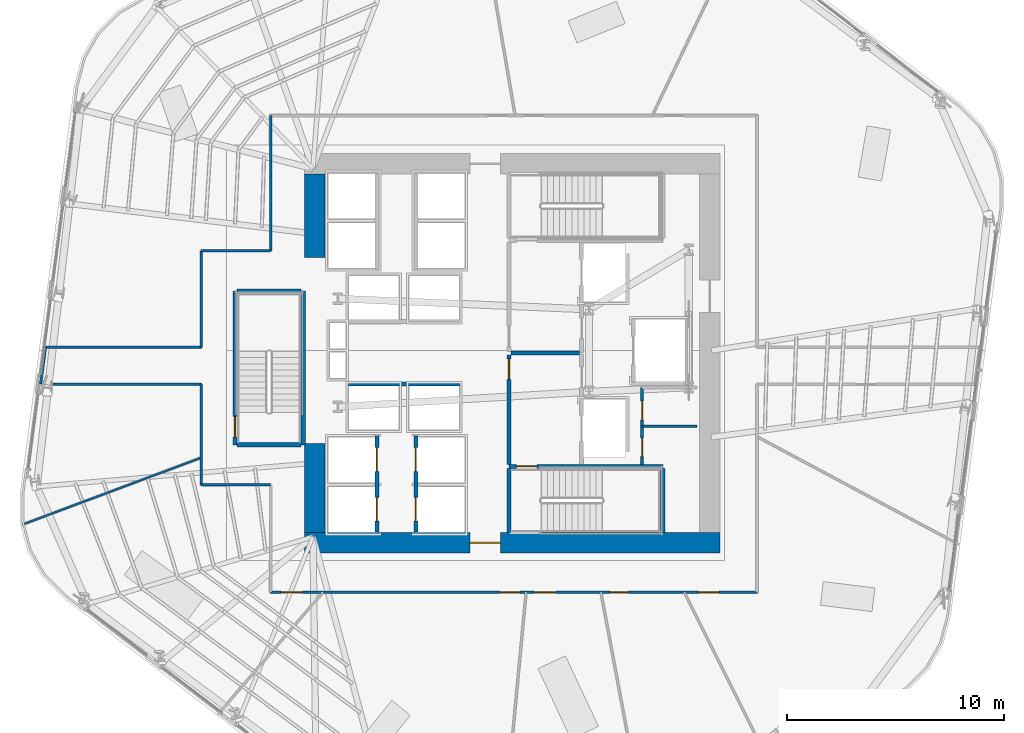
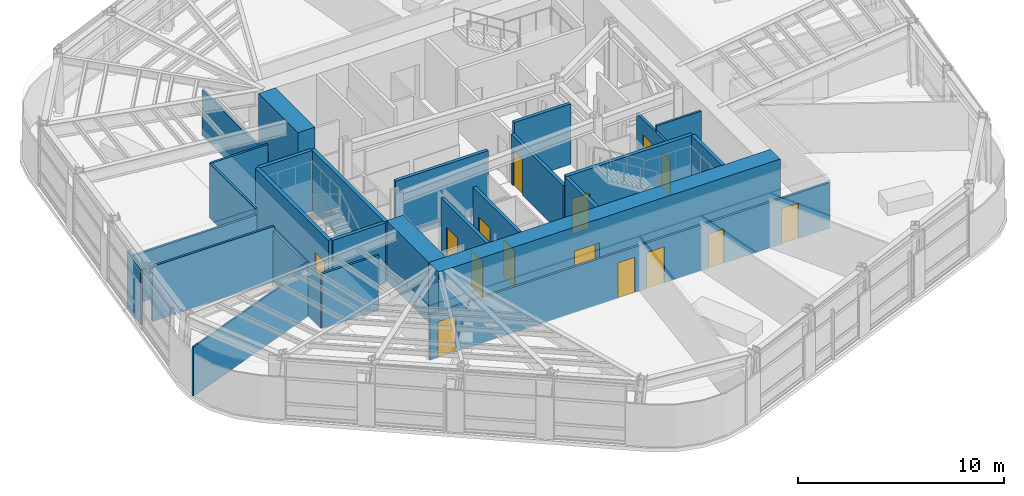
# One storey, part 9 of 18: 27 walls, 15 doors, 15 openings.
"""IFC4 building model written with IfcOpenShell, lengths in metres."""

from ifc_helpers import new_model, si_unit, direction, frame, frame_2d, origin, place, context, subcontext, project, spatial, rectangle, extrude, material, layer, layer_set, type_object, element, fill, save


model = new_model("IFC4")

# Units and contexts
model_context = context("Model", 3, precision=1e-05, world=origin(), true_north=direction((0.0, 1.0)))
body_context = subcontext(model_context, "Body", "Model", "MODEL_VIEW")
ifc_project = project(units=[si_unit("LENGTHUNIT", "METRE"), si_unit("AREAUNIT", "SQUARE_METRE"), si_unit("VOLUMEUNIT", "CUBIC_METRE"), si_unit("PLANEANGLEUNIT", "RADIAN"), si_unit("MASSUNIT", "GRAM", prefix="KILO")], contexts=[model_context])

# Site, building, storey
site_placement = place(None, origin())
site = spatial("IfcSite", under=ifc_project, at=site_placement, CompositionType="ELEMENT")
building_placement = place(site_placement, origin())
building = spatial("IfcBuilding", under=site, at=building_placement, Name="Valkerne Bourse Tower", CompositionType="ELEMENT")
storey_placement = place(building_placement, frame((0.0, 0.0, 120.0)))
storey = spatial("IfcBuildingStorey", under=building, at=storey_placement, Name="L30", CompositionType="ELEMENT", Elevation=120.0)

# Wall, opening, door
ifc_material_1 = material(Name="Concrete C70/85", Category="concrete")
ifc_layer_1 = layer(ifc_material_1, 0.949951171875)
ifc_layer_set_1 = layer_set([ifc_layer_1], Name="Concrete C70/85")
wall_type_1 = type_object("IfcWallType", Name="W-CORE-950", PredefinedType="SHEAR", material=ifc_layer_set_1)
wall_1_placement = place(storey_placement, frame((37.199951171875, 18.125, 0.0), z_axis=(0.0, 0.0, 1.0), x_axis=(1.0, 0.0, 0.0)))
wall_1 = element("IfcWall", 1, at=wall_1_placement, inside=storey, type_object=wall_type_1, Name="L30 Core Shear Wall SOUTH", PredefinedType="SHEAR", context=body_context, shape_type="SweptSolid", body=[
    extrude(rectangle(XDim=19.199951171875, YDim=0.949951171875, at=frame_2d((9.60009765625, 0.0))), origin(), (0.0, 0.0, 1.0), 3.580078125),
])
opening_1_placement = place(wall_1_placement, frame((7.64990234375, 0.0, 0.0)))
opening_1 = element("IfcOpeningElement", 2, at=opening_1_placement, cuts=wall_1, Name="Opening D-PL-1400", PredefinedType="OPENING", context=body_context, shape_type="SweptSolid", body=[
    extrude(rectangle(XDim=1.39990234375, YDim=2.14990234375, at=frame_2d((0.699951171875, 1.074951171875))), frame((0.0, 0.48486328125, 0.0), z_axis=(0.0, -1.0, 0.0), x_axis=(1.0, 0.0, 0.0)), (0.0, 0.0, 1.0), 0.969970703125),
])
ifc_material_2 = material(Name="Galvanised Painted Steel", Category="steel")
door_type_1 = type_object("IfcDoorType", Name="DR-PLT-1400", OperationType="DOUBLE_DOOR_SINGLE_SWING", PredefinedType="DOOR", material=ifc_material_2)
door_1_placement = place(opening_1_placement, origin())
door_1 = element("IfcDoor", 3, at=door_1_placement, inside=storey, type_object=door_type_1, Name="L30 South Passenger Lift Hall Fire Door", OperationType="DOUBLE_DOOR_SINGLE_SWING", OverallHeight=2.14990234375, OverallWidth=1.39990234375, PredefinedType="DOOR", context=body_context, shape_type="SweptSolid", body=[
    extrude(rectangle(XDim=1.39990234375, YDim=2.14990234375, at=frame_2d((0.699951171875, 1.074951171875))), frame((0.0, 0.02490234375, 0.0), z_axis=(0.0, -1.0, 0.0), x_axis=(1.0, 0.0, 0.0)), (0.0, 0.0, 1.0), 0.050048828125),
])
fill(opening_1, door_1)

# Walls
wall_2_placement = place(storey_placement, frame((37.675048828125, 18.60009765625, 0.0), z_axis=(0.0, 0.0, 1.0), x_axis=(0.0, 1.0, 0.0)))
element("IfcWall", 4, at=wall_2_placement, inside=storey, type_object=wall_type_1, Name="L30 Core Shear Wall WEST-S", PredefinedType="SHEAR", context=body_context, shape_type="SweptSolid", body=[
    extrude(rectangle(XDim=4.099853515625, YDim=0.949951171875, at=frame_2d((2.0498046875, 0.0))), origin(), (0.0, 0.0, 1.0), 3.580078125),
])
wall_3_placement = place(storey_placement, frame((37.675048828125, 31.300048828125, 0.0), z_axis=(0.0, 0.0, 1.0), x_axis=(0.0, 1.0, 0.0)))
element("IfcWall", 5, at=wall_3_placement, inside=storey, type_object=wall_type_1, Name="L30 Core Shear Wall WEST-N", PredefinedType="SHEAR", context=body_context, shape_type="SweptSolid", body=[
    extrude(rectangle(XDim=3.849853515625, YDim=0.949951171875, at=frame_2d((1.9248046875, 0.0))), origin(), (0.0, 0.0, 1.0), 3.580078125),
])
ifc_material_3 = material(Name="Gypsum Board Steel-Stud Partition", Category="steel")
ifc_layer_2 = layer(ifc_material_3, 0.117919921875)
ifc_layer_set_2 = layer_set([ifc_layer_2], Name="Gypsum Board Steel-Stud Partition")
wall_type_2 = type_object("IfcWallType", Name="W-CORR-140", PredefinedType="PARTITIONING", material=ifc_layer_set_2)
wall_4_placement = place(storey_placement, frame((52.800048828125, 23.510009765625, 0.0), z_axis=(0.0, 0.0, 1.0), x_axis=(1.0, 0.0, 0.0)))
element("IfcWall", 6, at=wall_4_placement, inside=storey, type_object=wall_type_2, Name="L30 Core SE Dual Divider", PredefinedType="PARTITIONING", context=body_context, shape_type="SweptSolid", body=[
    extrude(rectangle(XDim=2.52001953125, YDim=0.117919921875, at=frame_2d((1.260009765625, 0.0))), origin(), (0.0, 0.0, 1.0), 3.280029296875),
])

# Wall, openings, doors
wall_5_placement = place(storey_placement, frame((58.10009765625, 15.85009765625, 0.0), z_axis=(0.0, 0.0, 1.0), x_axis=(-1.0, 0.0, 0.0)))
wall_5 = element("IfcWall", 7, at=wall_5_placement, inside=storey, type_object=wall_type_2, Name="L30 Corridor Enclosure Wall", PredefinedType="PARTITIONING", context=body_context, shape_type="SweptSolid", body=[
    extrude(rectangle(XDim=22.4501953125, YDim=0.117919921875, at=frame_2d((11.22509765625, 0.0))), origin(), (0.0, 0.0, 1.0), 2.711669921875),
])
opening_2_placement = place(wall_5_placement, frame((5.93505859375, 0.0, 0.0)))
opening_2 = element("IfcOpeningElement", 8, at=opening_2_placement, cuts=wall_5, Name="Opening D-WC-900", PredefinedType="OPENING", context=body_context, shape_type="SweptSolid", body=[
    extrude(rectangle(XDim=0.860107421875, YDim=2.050048828125, at=frame_2d((0.43017578125, 1.02490234375))), frame((0.0, 0.06884765625, 0.0), z_axis=(0.0, -1.0, 0.0), x_axis=(1.0, 0.0, 0.0)), (0.0, 0.0, 1.0), 0.137939453125),
])
opening_3_placement = place(wall_5_placement, frame((9.284912109375, 0.0, 0.0)))
opening_3 = element("IfcOpeningElement", 9, at=opening_3_placement, cuts=wall_5, Name="Opening D-MG-1000", PredefinedType="OPENING", context=body_context, shape_type="SweptSolid", body=[
    extrude(rectangle(XDim=1.0, YDim=2.14990234375, at=frame_2d((0.5, 1.074951171875))), frame((0.0, 0.06884765625, 0.0), z_axis=(0.0, -1.0, 0.0), x_axis=(1.0, 0.0, 0.0)), (0.0, 0.0, 1.0), 0.137939453125),
])
opening_4_placement = place(wall_5_placement, frame((20.985107421875, 0.0, 0.0)))
opening_4 = element("IfcOpeningElement", 10, at=opening_4_placement, cuts=wall_5, Name="Opening D-MG-1000", PredefinedType="OPENING", context=body_context, shape_type="SweptSolid", body=[
    extrude(rectangle(XDim=1.0, YDim=2.14990234375, at=frame_2d((0.5, 1.074951171875))), frame((0.0, 0.06884765625, 0.0), z_axis=(0.0, -1.0, 0.0), x_axis=(1.0, 0.0, 0.0)), (0.0, 0.0, 1.0), 0.137939453125),
])
opening_5_placement = place(wall_5_placement, frame((1.75, 0.0, 0.0)))
opening_5 = element("IfcOpeningElement", 11, at=opening_5_placement, cuts=wall_5, Name="Opening D-OF-950", PredefinedType="OPENING", context=body_context, shape_type="SweptSolid", body=[
    extrude(rectangle(XDim=0.949951171875, YDim=2.10009765625, at=frame_2d((0.47509765625, 1.050048828125))), frame((0.0, 0.06884765625, 0.0), z_axis=(0.0, -1.0, 0.0), x_axis=(1.0, 0.0, 0.0)), (0.0, 0.0, 1.0), 0.137939453125),
])
opening_6_placement = place(wall_5_placement, frame((10.929931640625, 0.0, 0.0)))
opening_6 = element("IfcOpeningElement", 12, at=opening_6_placement, cuts=wall_5, Name="Opening D-OF-950", PredefinedType="OPENING", context=body_context, shape_type="SweptSolid", body=[
    extrude(rectangle(XDim=0.949951171875, YDim=2.10009765625, at=frame_2d((0.47509765625, 1.050048828125))), frame((0.0, 0.06884765625, 0.0), z_axis=(0.0, -1.0, 0.0), x_axis=(1.0, 0.0, 0.0)), (0.0, 0.0, 1.0), 0.137939453125),
])
ifc_material_4 = material(Name="Laminated Tempered Safety Glass", Category="glass")
door_type_2 = type_object("IfcDoorType", Name="DR-MTG-1000", OperationType="NOTDEFINED", PredefinedType="DOOR", material=ifc_material_4)
door_2_placement = place(opening_3_placement, origin())
door_2 = element("IfcDoor", 13, at=door_2_placement, inside=storey, type_object=door_type_2, Name="L30 L30 Client Strategy Conference Room 3 Door", OperationType="SINGLE_SWING_RIGHT", OverallHeight=2.14990234375, OverallWidth=1.0, PredefinedType="DOOR", context=body_context, shape_type="SweptSolid", body=[
    extrude(rectangle(XDim=1.0, YDim=2.14990234375, at=frame_2d((0.5, 1.074951171875))), frame((0.0, 0.02490234375, 0.0), z_axis=(0.0, -1.0, 0.0), x_axis=(1.0, 0.0, 0.0)), (0.0, 0.0, 1.0), 0.050048828125),
])
fill(opening_3, door_2)
door_3_placement = place(opening_4_placement, origin())
door_3 = element("IfcDoor", 14, at=door_3_placement, inside=storey, type_object=door_type_2, Name="L30 L30 Client Strategy Conference Room 4 Door", OperationType="SINGLE_SWING_RIGHT", OverallHeight=2.14990234375, OverallWidth=1.0, PredefinedType="DOOR", context=body_context, shape_type="SweptSolid", body=[
    extrude(rectangle(XDim=1.0, YDim=2.14990234375, at=frame_2d((0.5, 1.074951171875))), frame((0.0, 0.02490234375, 0.0), z_axis=(0.0, -1.0, 0.0), x_axis=(1.0, 0.0, 0.0)), (0.0, 0.0, 1.0), 0.050048828125),
])
fill(opening_4, door_3)
ifc_material_5 = material(Name="Architectural White Oak Timber", Category="wood")
door_type_3 = type_object("IfcDoorType", Name="DR-OFF-950", OperationType="NOTDEFINED", PredefinedType="DOOR", material=ifc_material_5)
door_4_placement = place(opening_5_placement, origin())
door_4 = element("IfcDoor", 15, at=door_4_placement, inside=storey, type_object=door_type_3, Name="L30 L30 Executive Economics Study Room 5 Door", OperationType="SINGLE_SWING_RIGHT", OverallHeight=2.10009765625, OverallWidth=0.949951171875, PredefinedType="DOOR", context=body_context, shape_type="SweptSolid", body=[
    extrude(rectangle(XDim=0.949951171875, YDim=2.10009765625, at=frame_2d((0.47509765625, 1.050048828125))), frame((0.0, 0.02490234375, 0.0), z_axis=(0.0, -1.0, 0.0), x_axis=(1.0, 0.0, 0.0)), (0.0, 0.0, 1.0), 0.050048828125),
])
fill(opening_5, door_4)
door_5_placement = place(opening_6_placement, origin())
door_5 = element("IfcDoor", 16, at=door_5_placement, inside=storey, type_object=door_type_3, Name="L30 L30 Exchange Security Control Room 7 Door", OperationType="SINGLE_SWING_RIGHT", OverallHeight=2.10009765625, OverallWidth=0.949951171875, PredefinedType="DOOR", context=body_context, shape_type="SweptSolid", body=[
    extrude(rectangle(XDim=0.949951171875, YDim=2.10009765625, at=frame_2d((0.47509765625, 1.050048828125))), frame((0.0, 0.02490234375, 0.0), z_axis=(0.0, -1.0, 0.0), x_axis=(1.0, 0.0, 0.0)), (0.0, 0.0, 1.0), 0.050048828125),
])
fill(opening_6, door_5)
door_type_4 = type_object("IfcDoorType", Name="DR-WC-900", OperationType="NOTDEFINED", PredefinedType="DOOR", material=ifc_material_5)
door_6_placement = place(opening_2_placement, origin())
door_6 = element("IfcDoor", 17, at=door_6_placement, inside=storey, type_object=door_type_4, Name="L30 L30 Men Bathroom WC 1 Door", OperationType="SINGLE_SWING_RIGHT", OverallHeight=2.050048828125, OverallWidth=0.860107421875, PredefinedType="DOOR", context=body_context, shape_type="SweptSolid", body=[
    extrude(rectangle(XDim=0.860107421875, YDim=2.050048828125, at=frame_2d((0.43017578125, 1.02490234375))), frame((0.0, 0.02490234375, 0.0), z_axis=(0.0, -1.0, 0.0), x_axis=(1.0, 0.0, 0.0)), (0.0, 0.0, 1.0), 0.050048828125),
])
fill(opening_2, door_6)

# Walls
wall_6_placement = place(storey_placement, frame((35.64990234375, 20.800048828125, 0.0), z_axis=(0.0, 0.0, 1.0), x_axis=(-1.0, 0.0, 0.0)))
element("IfcWall", 18, at=wall_6_placement, inside=storey, type_object=wall_type_2, Name="L30 Corridor Enclosure Wall", PredefinedType="PARTITIONING", context=body_context, shape_type="SweptSolid", body=[
    extrude(rectangle(XDim=3.199951171875, YDim=0.117919921875, at=frame_2d((1.60009765625, 0.0))), origin(), (0.0, 0.0, 1.0), 3.260009765625),
])
wall_7_placement = place(storey_placement, frame((32.449951171875, 20.800048828125, 0.0), z_axis=(0.0, 0.0, 1.0), x_axis=(0.0, 1.0, 0.0)))
element("IfcWall", 19, at=wall_7_placement, inside=storey, type_object=wall_type_2, Name="L30 Corridor Enclosure Wall", PredefinedType="PARTITIONING", context=body_context, shape_type="SweptSolid", body=[
    extrude(rectangle(XDim=4.64990234375, YDim=0.117919921875, at=frame_2d((2.324951171875, 0.0))), origin(), (0.0, 0.0, 1.0), 3.021484375),
])
wall_8_placement = place(storey_placement, frame((32.449951171875, 25.449951171875, 0.0), z_axis=(0.0, 0.0, 1.0), x_axis=(-1.0, 0.0, 0.0)))
element("IfcWall", 20, at=wall_8_placement, inside=storey, type_object=wall_type_2, Name="L30 Corridor Enclosure Wall", PredefinedType="PARTITIONING", context=body_context, shape_type="SweptSolid", body=[
    extrude(rectangle(XDim=6.844482421875, YDim=0.117919921875, at=frame_2d((3.42236328125, 0.0))), origin(), (0.0, 0.0, 1.0), 3.280029296875),
])
wall_9_placement = place(storey_placement, frame((25.026123046875, 25.449951171875, 0.0), z_axis=(0.0, 0.0, 1.0), x_axis=(0.131548216371, 0.991309773365, 0.0)))
element("IfcWall", 21, at=wall_9_placement, inside=storey, type_object=wall_type_2, Name="L30 Corridor Enclosure Wall", PredefinedType="PARTITIONING", context=body_context, shape_type="SweptSolid", body=[
    extrude(rectangle(XDim=1.71484375, YDim=0.117919921875, at=frame_2d((0.857421875, 0.0))), origin(), (0.0, 0.0, 1.0), 3.280029296875),
])
wall_10_placement = place(storey_placement, frame((25.251708984375, 27.14990234375, 0.0), z_axis=(0.0, 0.0, 1.0), x_axis=(1.0, 0.0, 0.0)))
element("IfcWall", 22, at=wall_10_placement, inside=storey, type_object=wall_type_2, Name="L30 Corridor Enclosure Wall", PredefinedType="PARTITIONING", context=body_context, shape_type="SweptSolid", body=[
    extrude(rectangle(XDim=7.1982421875, YDim=0.117919921875, at=frame_2d((3.59912109375, 0.0))), origin(), (0.0, 0.0, 1.0), 2.92236328125),
])
wall_11_placement = place(storey_placement, frame((32.449951171875, 27.14990234375, 0.0), z_axis=(0.0, 0.0, 1.0), x_axis=(0.0, 1.0, 0.0)))
element("IfcWall", 23, at=wall_11_placement, inside=storey, type_object=wall_type_2, Name="L30 Corridor Enclosure Wall", PredefinedType="PARTITIONING", context=body_context, shape_type="SweptSolid", body=[
    extrude(rectangle(XDim=4.4501953125, YDim=0.117919921875, at=frame_2d((2.22509765625, 0.0))), origin(), (0.0, 0.0, 1.0), 3.280029296875),
])
wall_12_placement = place(storey_placement, frame((32.449951171875, 31.60009765625, 0.0), z_axis=(0.0, 0.0, 1.0), x_axis=(1.0, 0.0, 0.0)))
element("IfcWall", 24, at=wall_12_placement, inside=storey, type_object=wall_type_2, Name="L30 Corridor Enclosure Wall", PredefinedType="PARTITIONING", context=body_context, shape_type="SweptSolid", body=[
    extrude(rectangle(XDim=3.199951171875, YDim=0.117919921875, at=frame_2d((1.60009765625, 0.0))), origin(), (0.0, 0.0, 1.0), 3.280029296875),
])
wall_13_placement = place(storey_placement, frame((35.64990234375, 31.60009765625, 0.0), z_axis=(0.0, 0.0, 1.0), x_axis=(0.0, 1.0, 0.0)))
element("IfcWall", 25, at=wall_13_placement, inside=storey, type_object=wall_type_2, Name="L30 Corridor Enclosure Wall", PredefinedType="PARTITIONING", context=body_context, shape_type="SweptSolid", body=[
    extrude(rectangle(XDim=6.25, YDim=0.117919921875, at=frame_2d((3.125, 0.0))), origin(), (0.0, 0.0, 1.0), 2.711669921875),
])
ifc_material_6 = material(Name="Gypsum Fire-Rated Shaftwall", Category="gypsum")
ifc_layer_3 = layer(ifc_material_6, 0.179931640625)
ifc_layer_set_3 = layer_set([ifc_layer_3], Name="Gypsum Fire-Rated Shaftwall")
wall_type_3 = type_object("IfcWallType", Name="W-FSAE-180", PredefinedType="PARTITIONING", material=ifc_layer_set_3)
wall_14_placement = place(storey_placement, frame((46.739990234375, 26.8798828125, 0.0), z_axis=(0.0, 0.0, 1.0), x_axis=(1.0, 0.0, 0.0)))
element("IfcWall", 26, at=wall_14_placement, inside=storey, type_object=wall_type_3, Name="L30 FSAE-1/2 Lobby Dividing Fire Wall", PredefinedType="PARTITIONING", context=body_context, shape_type="SweptSolid", body=[
    extrude(rectangle(XDim=3.169921875, YDim=0.179931640625, at=frame_2d((1.5849609375, 0.0))), origin(), (0.0, 0.0, 1.0), 3.580078125),
])

# Wall, opening, door
wall_15_placement = place(storey_placement, frame((46.64990234375, 21.75, 0.0), z_axis=(0.0, 0.0, 1.0), x_axis=(0.0, 1.0, 0.0)))
wall_15 = element("IfcWall", 27, at=wall_15_placement, inside=storey, type_object=wall_type_3, Name="L30 FSAE-1 Lobby West Fire Wall", PredefinedType="PARTITIONING", context=body_context, shape_type="SweptSolid", body=[
    extrude(rectangle(XDim=5.050048828125, YDim=0.179931640625, at=frame_2d((2.52490234375, 0.0))), origin(), (0.0, 0.0, 1.0), 2.957763671875),
])
opening_7_placement = place(wall_15_placement, frame((3.919921875, 0.0, 0.0)))
opening_7 = element("IfcOpeningElement", 28, at=opening_7_placement, cuts=wall_15, Name="Opening D-FS-950", PredefinedType="OPENING", context=body_context, shape_type="SweptSolid", body=[
    extrude(rectangle(XDim=0.949951171875, YDim=2.10009765625, at=frame_2d((0.47509765625, 1.050048828125))), frame((0.0, 0.099853515625, 0.0), z_axis=(0.0, -1.0, 0.0), x_axis=(1.0, 0.0, 0.0)), (0.0, 0.0, 1.0), 0.199951171875),
])
door_type_5 = type_object("IfcDoorType", Name="DR-FSAE-950", OperationType="NOTDEFINED", PredefinedType="DOOR", material=ifc_material_2)
door_7_placement = place(opening_7_placement, origin())
door_7 = element("IfcDoor", 29, at=door_7_placement, inside=storey, type_object=door_type_5, Name="L30 FSAE-1 Hall Link Fire Door", OperationType="SINGLE_SWING_LEFT", OverallHeight=2.10009765625, OverallWidth=0.949951171875, PredefinedType="DOOR", context=body_context, shape_type="SweptSolid", body=[
    extrude(rectangle(XDim=0.949951171875, YDim=2.10009765625, at=frame_2d((0.47509765625, 1.050048828125))), frame((0.0, 0.02490234375, 0.0), z_axis=(0.0, -1.0, 0.0), x_axis=(1.0, 0.0, 0.0)), (0.0, 0.0, 1.0), 0.050048828125),
])
fill(opening_7, door_7)

# Wall, openings, doors
ifc_material_7 = material(Name="CMU Blockwork Masonry 200mm", Category="masonry")
ifc_layer_4 = layer(ifc_material_7, 0.179931640625)
ifc_layer_set_4 = layer_set([ifc_layer_4], Name="CMU Blockwork Masonry 200mm")
wall_type_4 = type_object("IfcWallType", Name="W-LFT-180", PredefinedType="SOLIDWALL", material=ifc_layer_set_4)
wall_16_placement = place(storey_placement, frame((40.550048828125, 18.6201171875, 0.0), z_axis=(0.0, 0.0, 1.0), x_axis=(0.0, 1.0, 0.0)))
wall_16 = element("IfcWall", 30, at=wall_16_placement, inside=storey, type_object=wall_type_4, Name="L30 Low-Zone West Cars Front Wall", PredefinedType="SOLIDWALL", context=body_context, shape_type="SweptSolid", body=[
    extrude(rectangle(XDim=4.429931640625, YDim=0.179931640625, at=frame_2d((2.21484375, 0.0))), origin(), (0.0, 0.0, 1.0), 3.580078125),
])
opening_8_placement = place(wall_16_placement, frame((0.5, 0.0, 0.0)))
opening_8 = element("IfcOpeningElement", 31, at=opening_8_placement, cuts=wall_16, Name="Opening LD-1100", PredefinedType="OPENING", context=body_context, shape_type="SweptSolid", body=[
    extrude(rectangle(XDim=1.10009765625, YDim=2.14990234375, at=frame_2d((0.550048828125, 1.074951171875))), frame((0.0, 0.099853515625, 0.0), z_axis=(0.0, -1.0, 0.0), x_axis=(1.0, 0.0, 0.0)), (0.0, 0.0, 1.0), 0.199951171875),
])
opening_9_placement = place(wall_16_placement, frame((2.800048828125, 0.0, 0.0)))
opening_9 = element("IfcOpeningElement", 32, at=opening_9_placement, cuts=wall_16, Name="Opening LD-1100", PredefinedType="OPENING", context=body_context, shape_type="SweptSolid", body=[
    extrude(rectangle(XDim=1.10009765625, YDim=2.14990234375, at=frame_2d((0.550048828125, 1.074951171875))), frame((0.0, 0.099853515625, 0.0), z_axis=(0.0, -1.0, 0.0), x_axis=(1.0, 0.0, 0.0)), (0.0, 0.0, 1.0), 0.199951171875),
])
ifc_material_8 = material(Name="Stainless Steel AISI 316", Category="steel")
door_type_6 = type_object("IfcDoorType", Name="DR-LIFT-1100", OperationType="DOUBLE_DOOR_SLIDING", PredefinedType="DOOR", material=ifc_material_8)
door_8_placement = place(opening_8_placement, origin())
door_8 = element("IfcDoor", 33, at=door_8_placement, inside=storey, type_object=door_type_6, Name="L30 Passenger Lift PL-L1 Sliding Landing Door", OperationType="DOUBLE_DOOR_SLIDING", OverallHeight=2.14990234375, OverallWidth=1.10009765625, PredefinedType="DOOR", context=body_context, shape_type="SweptSolid", body=[
    extrude(rectangle(XDim=1.10009765625, YDim=2.14990234375, at=frame_2d((0.550048828125, 1.074951171875))), frame((0.0, 0.02490234375, 0.0), z_axis=(0.0, -1.0, 0.0), x_axis=(1.0, 0.0, 0.0)), (0.0, 0.0, 1.0), 0.050048828125),
])
fill(opening_8, door_8)
door_9_placement = place(opening_9_placement, origin())
door_9 = element("IfcDoor", 34, at=door_9_placement, inside=storey, type_object=door_type_6, Name="L30 Passenger Lift PL-L2 Sliding Landing Door", OperationType="DOUBLE_DOOR_SLIDING", OverallHeight=2.14990234375, OverallWidth=1.10009765625, PredefinedType="DOOR", context=body_context, shape_type="SweptSolid", body=[
    extrude(rectangle(XDim=1.10009765625, YDim=2.14990234375, at=frame_2d((0.550048828125, 1.074951171875))), frame((0.0, 0.02490234375, 0.0), z_axis=(0.0, -1.0, 0.0), x_axis=(1.0, 0.0, 0.0)), (0.0, 0.0, 1.0), 0.050048828125),
])
fill(opening_9, door_9)

wall_17_placement = place(storey_placement, frame((42.35009765625, 18.6201171875, 0.0), z_axis=(0.0, 0.0, 1.0), x_axis=(0.0, 1.0, 0.0)))
wall_17 = element("IfcWall", 35, at=wall_17_placement, inside=storey, type_object=wall_type_4, Name="L30 Low-Zone East Cars Front Wall", PredefinedType="SOLIDWALL", context=body_context, shape_type="SweptSolid", body=[
    extrude(rectangle(XDim=4.429931640625, YDim=0.179931640625, at=frame_2d((2.21484375, 0.0))), origin(), (0.0, 0.0, 1.0), 3.580078125),
])
opening_10_placement = place(wall_17_placement, frame((0.5, 0.0, 0.0)))
opening_10 = element("IfcOpeningElement", 36, at=opening_10_placement, cuts=wall_17, Name="Opening LD-1100", PredefinedType="OPENING", context=body_context, shape_type="SweptSolid", body=[
    extrude(rectangle(XDim=1.10009765625, YDim=2.14990234375, at=frame_2d((0.550048828125, 1.074951171875))), frame((0.0, 0.099853515625, 0.0), z_axis=(0.0, -1.0, 0.0), x_axis=(1.0, 0.0, 0.0)), (0.0, 0.0, 1.0), 0.199951171875),
])
opening_11_placement = place(wall_17_placement, frame((2.800048828125, 0.0, 0.0)))
opening_11 = element("IfcOpeningElement", 37, at=opening_11_placement, cuts=wall_17, Name="Opening LD-1100", PredefinedType="OPENING", context=body_context, shape_type="SweptSolid", body=[
    extrude(rectangle(XDim=1.10009765625, YDim=2.14990234375, at=frame_2d((0.550048828125, 1.074951171875))), frame((0.0, 0.099853515625, 0.0), z_axis=(0.0, -1.0, 0.0), x_axis=(1.0, 0.0, 0.0)), (0.0, 0.0, 1.0), 0.199951171875),
])
door_10_placement = place(opening_10_placement, origin())
door_10 = element("IfcDoor", 38, at=door_10_placement, inside=storey, type_object=door_type_6, Name="L30 Passenger Lift PL-L3 Sliding Landing Door", OperationType="DOUBLE_DOOR_SLIDING", OverallHeight=2.14990234375, OverallWidth=1.10009765625, PredefinedType="DOOR", context=body_context, shape_type="SweptSolid", body=[
    extrude(rectangle(XDim=1.10009765625, YDim=2.14990234375, at=frame_2d((0.550048828125, 1.074951171875))), frame((0.0, 0.02490234375, 0.0), z_axis=(0.0, -1.0, 0.0), x_axis=(1.0, 0.0, 0.0)), (0.0, 0.0, 1.0), 0.050048828125),
])
fill(opening_10, door_10)
door_11_placement = place(opening_11_placement, origin())
door_11 = element("IfcDoor", 39, at=door_11_placement, inside=storey, type_object=door_type_6, Name="L30 Passenger Lift PL-L4 Sliding Landing Door", OperationType="DOUBLE_DOOR_SLIDING", OverallHeight=2.14990234375, OverallWidth=1.10009765625, PredefinedType="DOOR", context=body_context, shape_type="SweptSolid", body=[
    extrude(rectangle(XDim=1.10009765625, YDim=2.14990234375, at=frame_2d((0.550048828125, 1.074951171875))), frame((0.0, 0.02490234375, 0.0), z_axis=(0.0, -1.0, 0.0), x_axis=(1.0, 0.0, 0.0)), (0.0, 0.0, 1.0), 0.050048828125),
])
fill(opening_11, door_11)

# Walls
wall_18_placement = place(storey_placement, frame((39.25, 25.449951171875, 0.0), z_axis=(0.0, 0.0, 1.0), x_axis=(1.0, 0.0, 0.0)))
element("IfcWall", 40, at=wall_18_placement, inside=storey, type_object=wall_type_4, Name="L30 High-Zone South Cars Front Wall", PredefinedType="SOLIDWALL", context=body_context, shape_type="SweptSolid", body=[
    extrude(rectangle(XDim=5.199951171875, YDim=0.179931640625, at=frame_2d((2.60009765625, 0.0))), origin(), (0.0, 0.0, 1.0), 3.580078125),
])
ifc_layer_5 = layer(ifc_material_3, 0.092041015625)
ifc_layer_set_5 = layer_set([ifc_layer_5], Name="Gypsum Board Steel-Stud Partition")
wall_type_5 = type_object("IfcWallType", Name="W-PART-115", PredefinedType="PARTITIONING", material=ifc_layer_set_5)
wall_19_placement = place(storey_placement, frame((32.445068359375, 22.055908203125, 0.0), z_axis=(0.0, 0.0, 1.0), x_axis=(-0.936603645074, -0.350390656317, 0.0)))
element("IfcWall", 41, at=wall_19_placement, inside=storey, type_object=wall_type_5, Name="L30 Suite Partition P08", PredefinedType="PARTITIONING", context=body_context, shape_type="SweptSolid", body=[
    extrude(rectangle(XDim=8.837158203125, YDim=0.092041015625, at=frame_2d((4.41845703125, 0.0))), origin(), (0.0, 0.0, 1.0), 2.92236328125),
])

# Wall, opening, door
ifc_material_9 = material(Name="Concrete C40/50", Category="concrete")
ifc_layer_6 = layer(ifc_material_9, 0.199951171875)
ifc_layer_set_6 = layer_set([ifc_layer_6], Name="Concrete C40/50")
wall_type_6 = type_object("IfcWallType", Name="W-SHF-200", PredefinedType="SHEAR", material=ifc_layer_set_6)
wall_20_placement = place(storey_placement, frame((46.64990234375, 21.64990234375, 0.0), z_axis=(0.0, 0.0, 1.0), x_axis=(1.0, 0.0, 0.0)))
wall_20 = element("IfcWall", 42, at=wall_20_placement, inside=storey, type_object=wall_type_6, Name="L30 Exit Stair ST-1 Structural Shaft Wall North", PredefinedType="SHEAR", context=body_context, shape_type="SweptSolid", body=[
    extrude(rectangle(XDim=7.10009765625, YDim=0.199951171875, at=frame_2d((3.550048828125, 0.0))), origin(), (0.0, 0.0, 1.0), 3.580078125),
])
opening_12_placement = place(wall_20_placement, frame((0.35009765625, 0.0, 0.0)))
opening_12 = element("IfcOpeningElement", 43, at=opening_12_placement, cuts=wall_20, Name="Opening D-ST-950", PredefinedType="OPENING", context=body_context, shape_type="SweptSolid", body=[
    extrude(rectangle(XDim=0.949951171875, YDim=2.10009765625, at=frame_2d((0.47509765625, 1.050048828125))), frame((0.0, 0.10986328125, 0.0), z_axis=(0.0, -1.0, 0.0), x_axis=(1.0, 0.0, 0.0)), (0.0, 0.0, 1.0), 0.219970703125),
])
door_type_7 = type_object("IfcDoorType", Name="DR-STAIR-950", OperationType="NOTDEFINED", PredefinedType="DOOR", material=ifc_material_2)
door_12_placement = place(opening_12_placement, origin())
door_12 = element("IfcDoor", 44, at=door_12_placement, inside=storey, type_object=door_type_7, Name="L30 Exit Stair ST-1 Door", OperationType="SINGLE_SWING_RIGHT", OverallHeight=2.10009765625, OverallWidth=0.949951171875, PredefinedType="DOOR", context=body_context, shape_type="SweptSolid", body=[
    extrude(rectangle(XDim=0.949951171875, YDim=2.10009765625, at=frame_2d((0.47509765625, 1.050048828125))), frame((0.0, 0.02490234375, 0.0), z_axis=(0.0, -1.0, 0.0), x_axis=(1.0, 0.0, 0.0)), (0.0, 0.0, 1.0), 0.050048828125),
])
fill(opening_12, door_12)

# Walls
for number, where, z_axis, x_axis, name in (
    (45, (46.64990234375, 18.60009765625, 0.0), (0.0, 0.0, 1.0), (0.0, 1.0, 0.0), "L30 Exit Stair ST-1 Structural Shaft Wall West"),
    (46, (53.75, 18.60009765625, 0.0), (0.0, 0.0, 1.0), (0.0, 1.0, 0.0), "L30 Exit Stair ST-1 Structural Shaft Wall East"),
):
    element("IfcWall", number, at=place(storey_placement, frame(where, z_axis=z_axis, x_axis=x_axis)), inside=storey, type_object=wall_type_6, Name=name, PredefinedType="SHEAR", context=body_context, shape_type="SweptSolid", body=[
        extrude(rectangle(XDim=2.949951171875, YDim=0.199951171875, at=frame_2d((1.47509765625, 0.0))), origin(), (0.0, 0.0, 1.0), 3.580078125),
    ])

# Wall, opening, door
wall_21_placement = place(storey_placement, frame((34.0, 22.64990234375, 0.0), z_axis=(0.0, 0.0, 1.0), x_axis=(0.0, 1.0, 0.0)))
wall_21 = element("IfcWall", 47, at=wall_21_placement, inside=storey, type_object=wall_type_6, Name="L30 Exit Stair ST-3 Structural Shaft Wall West", PredefinedType="SHEAR", context=body_context, shape_type="SweptSolid", body=[
    extrude(rectangle(XDim=7.10009765625, YDim=0.199951171875, at=frame_2d((3.550048828125, 0.0))), origin(), (0.0, 0.0, 1.0), 3.580078125),
])
opening_13_placement = place(wall_21_placement, frame((0.35009765625, 0.0, 0.0)))
opening_13 = element("IfcOpeningElement", 48, at=opening_13_placement, cuts=wall_21, Name="Opening D-ST-950", PredefinedType="OPENING", context=body_context, shape_type="SweptSolid", body=[
    extrude(rectangle(XDim=0.949951171875, YDim=2.10009765625, at=frame_2d((0.47509765625, 1.050048828125))), frame((0.0, 0.10986328125, 0.0), z_axis=(0.0, -1.0, 0.0), x_axis=(1.0, 0.0, 0.0)), (0.0, 0.0, 1.0), 0.219970703125),
])
door_13_placement = place(opening_13_placement, origin())
door_13 = element("IfcDoor", 49, at=door_13_placement, inside=storey, type_object=door_type_7, Name="L30 Exit Stair ST-3 Door", OperationType="SINGLE_SWING_LEFT", OverallHeight=2.10009765625, OverallWidth=0.949951171875, PredefinedType="DOOR", context=body_context, shape_type="SweptSolid", body=[
    extrude(rectangle(XDim=0.949951171875, YDim=2.10009765625, at=frame_2d((0.47509765625, 1.050048828125))), frame((0.0, 0.02490234375, 0.0), z_axis=(0.0, -1.0, 0.0), x_axis=(1.0, 0.0, 0.0)), (0.0, 0.0, 1.0), 0.050048828125),
])
fill(opening_13, door_13)

# Walls
for number, where, z_axis, x_axis, name in (
    (50, (34.10009765625, 22.64990234375, 0.0), (0.0, 0.0, 1.0), (1.0, 0.0, 0.0), "L30 Exit Stair ST-3 Structural Shaft Wall South"),
    (51, (34.10009765625, 29.75, 0.0), (0.0, 0.0, 1.0), (1.0, 0.0, 0.0), "L30 Exit Stair ST-3 Structural Shaft Wall North"),
):
    element("IfcWall", number, at=place(storey_placement, frame(where, z_axis=z_axis, x_axis=x_axis)), inside=storey, type_object=wall_type_6, Name=name, PredefinedType="SHEAR", context=body_context, shape_type="SweptSolid", body=[
        extrude(rectangle(XDim=2.949951171875, YDim=0.199951171875, at=frame_2d((1.47509765625, 0.0))), origin(), (0.0, 0.0, 1.0), 3.580078125),
    ])
wall_22_placement = place(storey_placement, frame((37.14990234375, 22.64990234375, 0.0), z_axis=(0.0, 0.0, 1.0), x_axis=(0.0, 1.0, 0.0)))
element("IfcWall", 52, at=wall_22_placement, inside=storey, type_object=wall_type_6, Name="L30 Exit Stair ST-3 Structural Shaft Wall East", PredefinedType="SHEAR", context=body_context, shape_type="SweptSolid", body=[
    extrude(rectangle(XDim=7.10009765625, YDim=0.199951171875, at=frame_2d((3.550048828125, 0.0))), origin(), (0.0, 0.0, 1.0), 3.580078125),
])

# Wall, openings, doors
ifc_material_10 = material(Name="Moisture-Resistant Gypsum Partition", Category="gypsum")
ifc_layer_7 = layer(ifc_material_10, 0.139892578125)
ifc_layer_set_7 = layer_set([ifc_layer_7], Name="Moisture-Resistant Gypsum Partition")
wall_type_7 = type_object("IfcWallType", Name="W-WET-140", PredefinedType="PARTITIONING", material=ifc_layer_set_7)
wall_23_placement = place(storey_placement, frame((52.800048828125, 21.75, 0.0), z_axis=(0.0, 0.0, 1.0), x_axis=(0.0, 1.0, 0.0)))
wall_23 = element("IfcWall", 53, at=wall_23_placement, inside=storey, type_object=wall_type_7, Name="L30 Core SE Dual West Wall", PredefinedType="PARTITIONING", context=body_context, shape_type="SweptSolid", body=[
    extrude(rectangle(XDim=3.550048828125, YDim=0.139892578125, at=frame_2d((1.77490234375, 0.0))), origin(), (0.0, 0.0, 1.0), 2.957763671875),
])
opening_14_placement = place(wall_23_placement, frame((0.35009765625, 0.0, 0.0)))
opening_14 = element("IfcOpeningElement", 54, at=opening_14_placement, cuts=wall_23, Name="Opening D-WC-900", PredefinedType="OPENING", context=body_context, shape_type="SweptSolid", body=[
    extrude(rectangle(XDim=0.860107421875, YDim=2.050048828125, at=frame_2d((0.43017578125, 1.02490234375))), frame((0.0, 0.079833984375, 0.0), z_axis=(0.0, -1.0, 0.0), x_axis=(1.0, 0.0, 0.0)), (0.0, 0.0, 1.0), 0.159912109375),
])
opening_15_placement = place(wall_23_placement, frame((2.050048828125, 0.0, 0.0)))
opening_15 = element("IfcOpeningElement", 55, at=opening_15_placement, cuts=wall_23, Name="Opening D-WC-900", PredefinedType="OPENING", context=body_context, shape_type="SweptSolid", body=[
    extrude(rectangle(XDim=0.860107421875, YDim=2.050048828125, at=frame_2d((0.43017578125, 1.02490234375))), frame((0.0, 0.079833984375, 0.0), z_axis=(0.0, -1.0, 0.0), x_axis=(1.0, 0.0, 0.0)), (0.0, 0.0, 1.0), 0.159912109375),
])
door_14_placement = place(opening_14_placement, origin())
door_14 = element("IfcDoor", 56, at=door_14_placement, inside=storey, type_object=door_type_4, Name="L30 Linen Store Door", OperationType="SINGLE_SWING_LEFT", OverallHeight=2.050048828125, OverallWidth=0.860107421875, PredefinedType="DOOR", context=body_context, shape_type="SweptSolid", body=[
    extrude(rectangle(XDim=0.860107421875, YDim=2.050048828125, at=frame_2d((0.43017578125, 1.02490234375))), frame((0.0, 0.02490234375, 0.0), z_axis=(0.0, -1.0, 0.0), x_axis=(1.0, 0.0, 0.0)), (0.0, 0.0, 1.0), 0.050048828125),
])
fill(opening_14, door_14)
door_15_placement = place(opening_15_placement, origin())
door_15 = element("IfcDoor", 57, at=door_15_placement, inside=storey, type_object=door_type_4, Name="L30 Espresso Kitchen Door", OperationType="SINGLE_SWING_RIGHT", OverallHeight=2.050048828125, OverallWidth=0.860107421875, PredefinedType="DOOR", context=body_context, shape_type="SweptSolid", body=[
    extrude(rectangle(XDim=0.860107421875, YDim=2.050048828125, at=frame_2d((0.43017578125, 1.02490234375))), frame((0.0, 0.02490234375, 0.0), z_axis=(0.0, -1.0, 0.0), x_axis=(1.0, 0.0, 0.0)), (0.0, 0.0, 1.0), 0.050048828125),
])
fill(opening_15, door_15)

save(model, "model.ifc")
